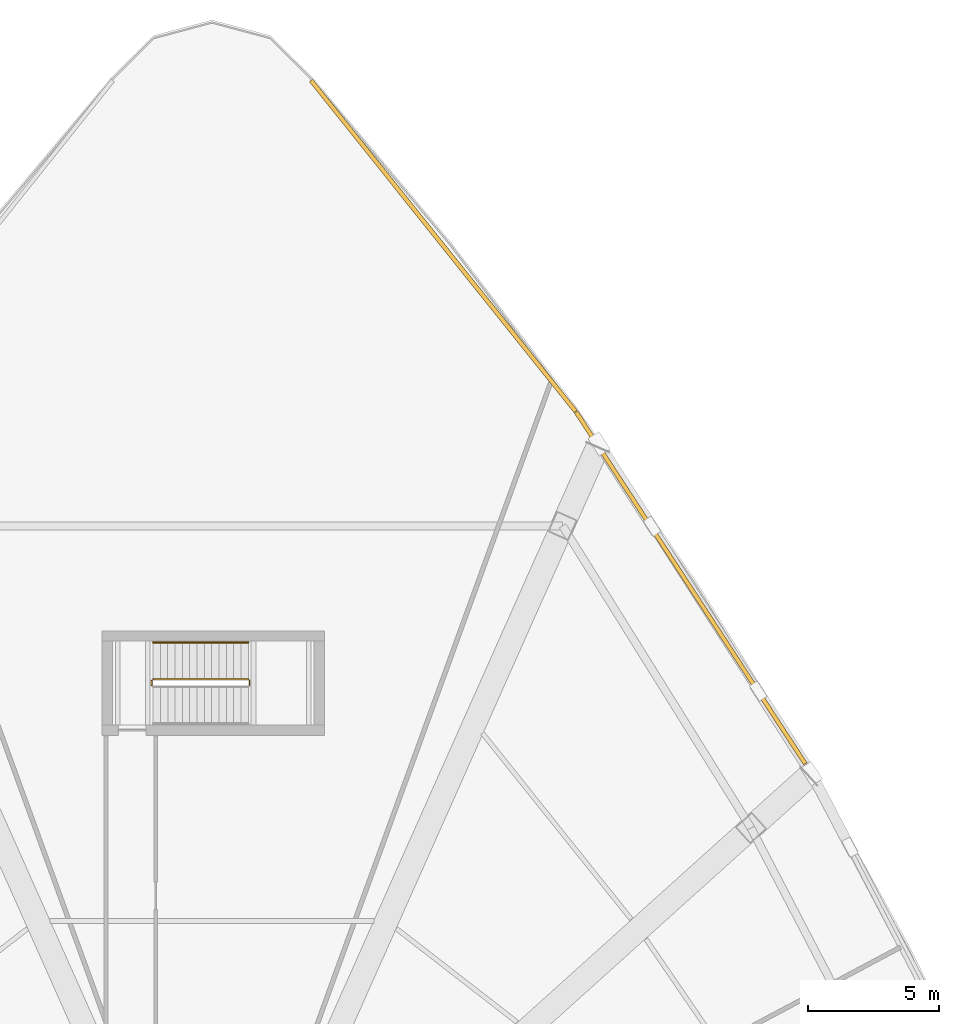
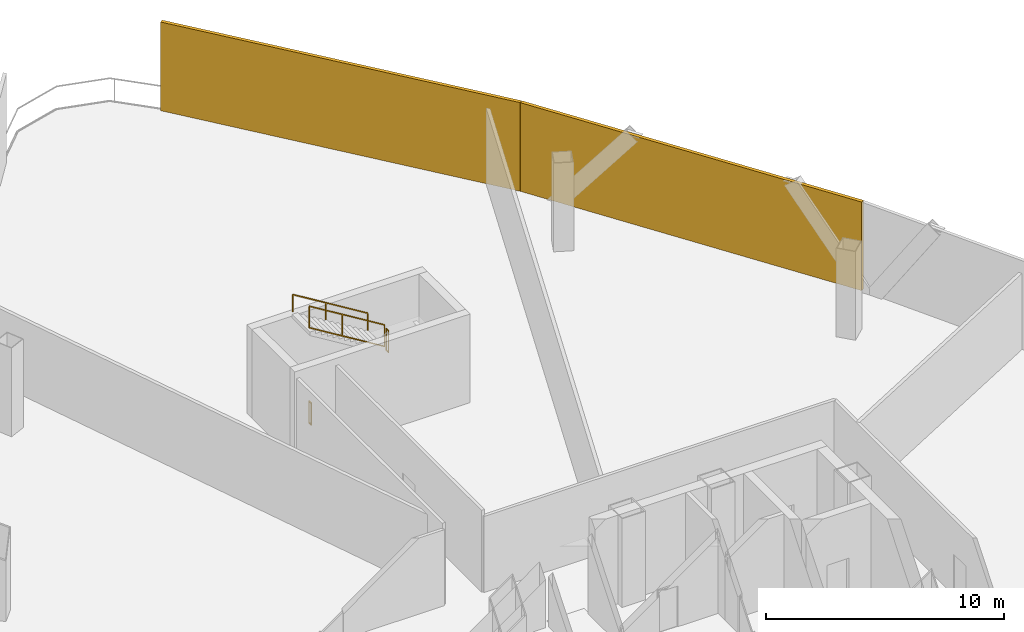
# One storey, part 13 of 14: 4 railings, 2 shading devices.
"""IFC4 building model written with IfcOpenShell, lengths in metres."""

from ifc_helpers import new_model, si_unit, direction, frame, origin, origin_2d, place, context, subcontext, project, spatial, rectangle, extrude, source, transform, mapped, material, layer, layer_set, type_object, element, save


model = new_model("IFC4")

# Units and contexts
model_context = context("Model", 3, precision=1e-05, world=origin(), true_north=direction((0.0, 1.0)))
body_context = subcontext(model_context, "Body", "Model", "MODEL_VIEW")
ifc_project = project(units=[si_unit("LENGTHUNIT", "METRE"), si_unit("AREAUNIT", "SQUARE_METRE"), si_unit("VOLUMEUNIT", "CUBIC_METRE"), si_unit("PLANEANGLEUNIT", "RADIAN"), si_unit("MASSUNIT", "GRAM", prefix="KILO"), si_unit("THERMODYNAMICTEMPERATUREUNIT", "KELVIN"), si_unit("POWERUNIT", "WATT")], contexts=[model_context])

# Site, building, storey
site_placement = place(None, origin())
site = spatial("IfcSite", under=ifc_project, at=site_placement, CompositionType="ELEMENT")
building_placement = place(site_placement, origin())
building = spatial("IfcBuilding", under=site, at=building_placement, Name="Yunzhuo Pagoda Commons", CompositionType="ELEMENT")
storey_placement = place(building_placement, frame((0.0, 0.0, 224.81005859375)))
storey = spatial("IfcBuildingStorey", under=building, at=storey_placement, Name="L56", CompositionType="ELEMENT", Elevation=224.81005859375)

# Railings
ifc_material = material(Name="Anodized aluminium 6063-T6", Category="aluminium")
railing_type_1 = type_object("IfcRailingType", Name="GR-ST3 North Well Guardrail 1155", PredefinedType="GUARDRAIL", material=ifc_material)
railing_1_placement = place(storey_placement, frame((49.43994140625, 57.699951171875, 2.39990234375)))
element("IfcRailing", 1, at=railing_1_placement, inside=storey, type_object=railing_type_1, Name="L56 ST3 stair guard 2", PredefinedType="GUARDRAIL", context=body_context, shape_type="SweptSolid", body=[
    extrude(rectangle(XDim=0.048095703125, YDim=0.048095703125, at=origin_2d()), frame((0.0, 0.0, 1.1259765625), z_axis=(0.0, 1.0, 0.0), x_axis=(-1.0, 0.0, 0.0)), (0.0, 0.0, 1.0), 0.199951171875),
    extrude(rectangle(XDim=0.048095703125, YDim=0.048095703125, at=origin_2d()), frame((0.0, 0.0, 0.02392578125), z_axis=(0.0, 1.0, 0.0), x_axis=(-1.0, 0.0, 0.0)), (0.0, 0.0, 1.0), 0.199951171875),
    extrude(rectangle(XDim=0.0419921875, YDim=0.0419921875, at=origin_2d()), origin(), (0.0, 0.0, 1.0), 1.101806640625),
    extrude(rectangle(XDim=0.0419921875, YDim=0.0419921875, at=origin_2d()), frame((0.0, 0.199951171875, 0.0)), (0.0, 0.0, 1.0), 1.101806640625),
])
railing_2_placement = place(storey_placement, frame((49.389892578125, 57.949951171875, 2.5712890625)))
element("IfcRailing", 2, at=railing_2_placement, inside=storey, type_object=railing_type_1, Name="L56 ST3 stair guard 3", PredefinedType="GUARDRAIL", context=body_context, shape_type="SweptSolid", body=[
    extrude(rectangle(XDim=0.048095703125, YDim=0.048095703125, at=origin_2d()), frame((0.0, 0.0, 1.1259765625), z_axis=(-0.852824790078, 0.0, 0.522197163366), x_axis=(0.0, -1.0, 0.0)), (0.0, 0.0, 1.0), 4.26806640625),
    extrude(rectangle(XDim=0.048095703125, YDim=0.048095703125, at=origin_2d()), frame((0.0, 0.0, 0.02392578125), z_axis=(-0.852824790078, 0.0, 0.522197163366), x_axis=(0.0, -1.0, 0.0)), (0.0, 0.0, 1.0), 4.26806640625),
    extrude(rectangle(XDim=0.0419921875, YDim=0.0419921875, at=origin_2d()), origin(), (0.0, 0.0, 1.0), 1.101806640625),
    extrude(rectangle(XDim=0.0419921875, YDim=0.0419921875, at=origin_2d()), frame((-2.046875, 0.0, 1.253173828125)), (0.0, 0.0, 1.0), 1.101806640625),
    extrude(rectangle(XDim=0.0419921875, YDim=0.0419921875, at=origin_2d()), frame((-3.639892578125, 0.0, 2.228759765625)), (0.0, 0.0, 1.0), 1.101806640625),
])
railing_3_placement = place(storey_placement, frame((45.699951171875, 57.699951171875, 0.0)))
element("IfcRailing", 3, at=railing_3_placement, inside=storey, type_object=railing_type_1, Name="L56 ST3 stair guard 4", PredefinedType="GUARDRAIL", context=body_context, shape_type="SweptSolid", body=[
    extrude(rectangle(XDim=0.048095703125, YDim=0.048095703125, at=origin_2d()), frame((0.0, 0.0, 1.1259765625), z_axis=(0.0, 1.0, 0.0), x_axis=(-1.0, 0.0, 0.0)), (0.0, 0.0, 1.0), 0.199951171875),
    extrude(rectangle(XDim=0.048095703125, YDim=0.048095703125, at=origin_2d()), frame((0.0, 0.0, 0.02392578125), z_axis=(0.0, 1.0, 0.0), x_axis=(-1.0, 0.0, 0.0)), (0.0, 0.0, 1.0), 0.199951171875),
    extrude(rectangle(XDim=0.0419921875, YDim=0.0419921875, at=origin_2d()), origin(), (0.0, 0.0, 1.0), 1.101806640625),
    extrude(rectangle(XDim=0.0419921875, YDim=0.0419921875, at=origin_2d()), frame((0.0, 0.199951171875, 0.0)), (0.0, 0.0, 1.0), 1.101806640625),
])
railing_type_2 = type_object("IfcRailingType", Name="HR-ST3 North Stair Handrail 900", PredefinedType="HANDRAIL", material=ifc_material)
railing_4_placement = place(storey_placement, frame((49.389892578125, 59.35009765625, 2.5712890625)))
element("IfcRailing", 4, at=railing_4_placement, inside=storey, type_object=railing_type_2, Name="L56 ST3 stair handrail 2", PredefinedType="HANDRAIL", context=body_context, shape_type="SweptSolid", body=[
    extrude(rectangle(XDim=0.048095703125, YDim=0.048095703125, at=origin_2d()), frame((0.0, 0.0, 0.8759765625), z_axis=(-0.852824790078, 0.0, 0.522197163366), x_axis=(0.0, -1.0, 0.0)), (0.0, 0.0, 1.0), 4.26806640625),
    extrude(rectangle(XDim=0.0419921875, YDim=0.0419921875, at=origin_2d()), origin(), (0.0, 0.0, 1.0), 0.851806640625),
    extrude(rectangle(XDim=0.0419921875, YDim=0.0419921875, at=origin_2d()), frame((-2.046875, 0.0, 1.253173828125)), (0.0, 0.0, 1.0), 0.851806640625),
    extrude(rectangle(XDim=0.0419921875, YDim=0.0419921875, at=origin_2d()), frame((-3.639892578125, 0.0, 2.228759765625)), (0.0, 0.0, 1.0), 0.851806640625),
])

# Shading devices
ifc_layer = layer(ifc_material, 0.159912109375)
ifc_layer_set = layer_set([ifc_layer], Name="Anodized aluminium 6063-T6")
shading_device_type = type_object("IfcShadingDeviceType", Name="SH-SCR1 Stormproof Refuge Louvre Screen", PredefinedType="JALOUSIE", material=ifc_layer_set)
shared_shape_1 = source(origin(), body_context, "Body", "SweptSolid", [
    extrude(rectangle(XDim=16.2041015625, YDim=0.159912109375, at=origin_2d()), origin(), (0.0, 0.0, 1.0), 4.5400390625),
])
shading_device_1_placement = place(storey_placement, frame((56.849609375, 74.513671875, 0.0), z_axis=(0.0, 0.0, 1.0), x_axis=(-0.624520471688, 0.781008438138, 0.0)))
element("IfcShadingDevice", 5, at=shading_device_1_placement, inside=storey, type_object=shading_device_type, Name="L56 stormproof refuge louvre screen F2.4", PredefinedType="JALOUSIE", context=body_context, shape_type="MappedRepresentation", body=[
    mapped(shared_shape_1, transform((0.0, 0.0, 0.0), scale=1.0)),
])
shared_shape_2 = source(origin(), body_context, "Body", "SweptSolid", [
    extrude(rectangle(XDim=16.05029296875, YDim=0.159912109375, at=origin_2d()), origin(), (0.0, 0.0, 1.0), 4.5400390625),
])
shading_device_2_placement = place(storey_placement, frame((66.306396484375, 61.438720703125, 0.0), z_axis=(0.0, 0.0, 1.0), x_axis=(-0.545838756973, 0.837890238269, 0.0)))
element("IfcShadingDevice", 6, at=shading_device_2_placement, inside=storey, type_object=shading_device_type, Name="L56 stormproof refuge louvre screen F2.3", PredefinedType="JALOUSIE", context=body_context, shape_type="MappedRepresentation", body=[
    mapped(shared_shape_2, transform((0.0, 0.0, 0.0), scale=1.0)),
])

save(model, "model.ifc")
